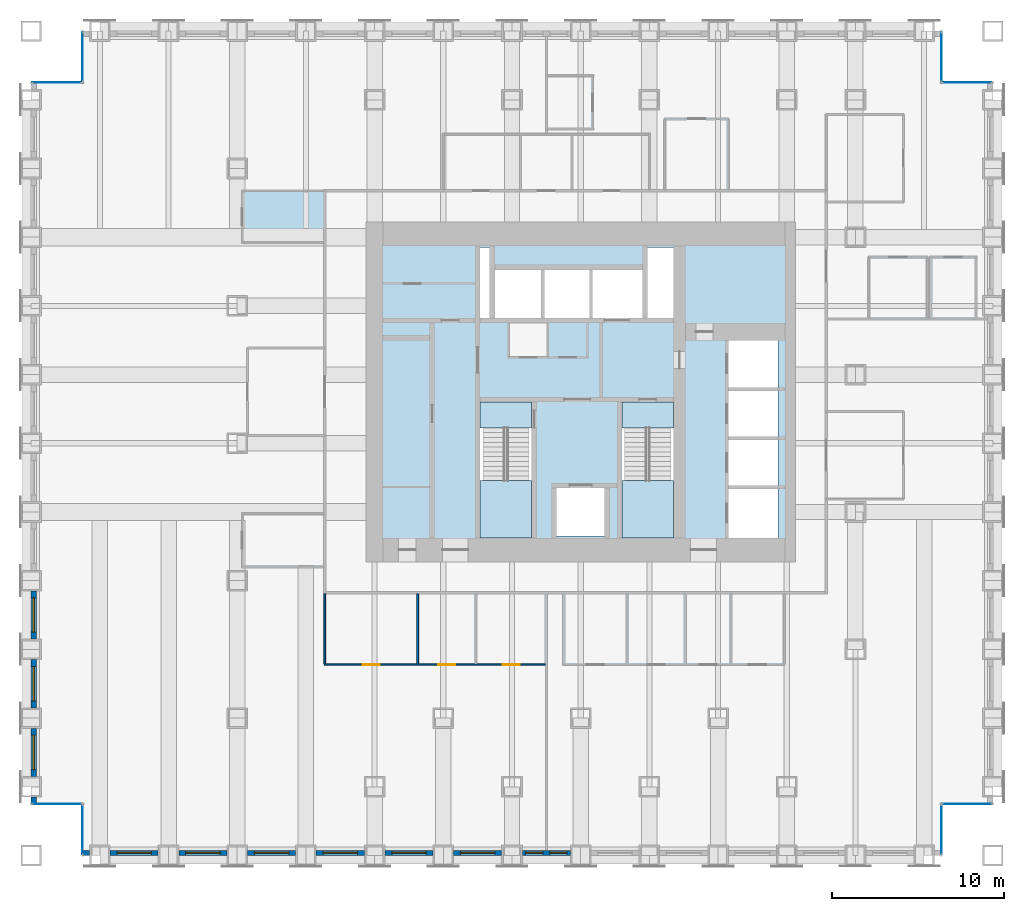
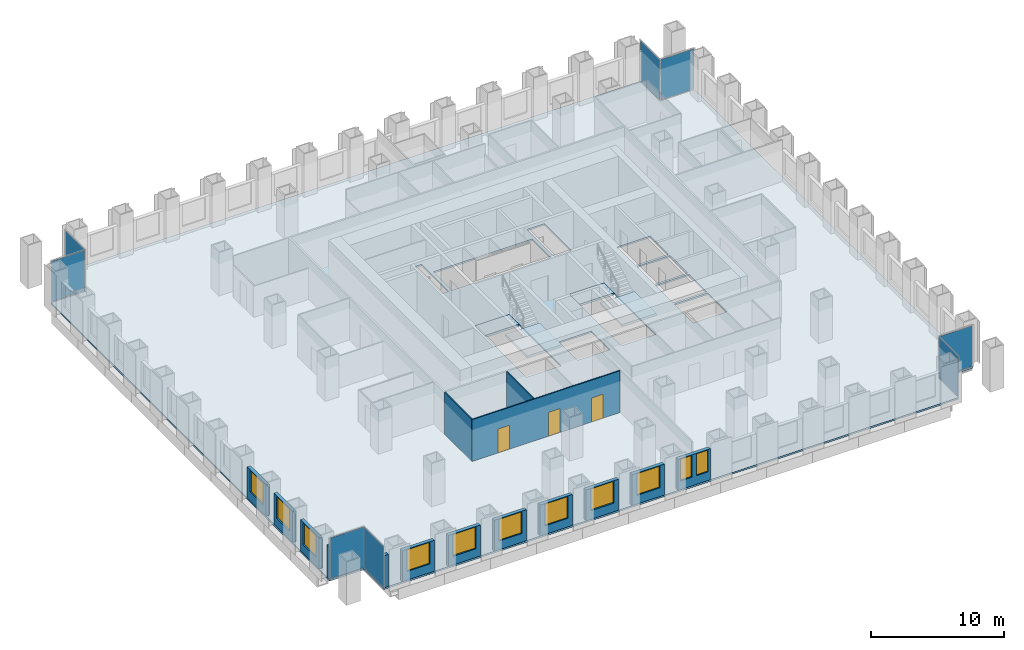
# One storey, part 7 of 14: 15 walls, 11 windows, 8 plates, 5 slabs, 3 doors, 14 openings, 10 elements without a shape of their own.
"""IFC4 building model written with IfcOpenShell, lengths in metres."""

from ifc_helpers import new_model, si_unit, direction, frame, frame_2d, origin, origin_2d, place, context, subcontext, project, spatial, polyline, rectangle, outline, extrude, material, layer, layer_set, type_object, element, fill, aggregate, save


model = new_model("IFC4")

# Units and contexts
model_context = context("Model", 3, precision=1e-05, world=origin(), true_north=direction((0.0, 1.0)))
body_context = subcontext(model_context, "Body", "Model", "MODEL_VIEW")
ifc_project = project(units=[si_unit("LENGTHUNIT", "METRE"), si_unit("AREAUNIT", "SQUARE_METRE"), si_unit("VOLUMEUNIT", "CUBIC_METRE"), si_unit("PLANEANGLEUNIT", "RADIAN"), si_unit("MASSUNIT", "GRAM", prefix="KILO")], contexts=[model_context])

# Site, building, storey
site_placement = place(None, origin())
site = spatial("IfcSite", under=ifc_project, at=site_placement, CompositionType="ELEMENT")
building_placement = place(site_placement, origin())
building = spatial("IfcBuilding", under=site, at=building_placement, Name="Rimbunsela Tower", CompositionType="ELEMENT")
storey_placement = place(building_placement, frame((0.0, 0.0, 55.0)))
storey = spatial("IfcBuildingStorey", under=building, at=storey_placement, Name="L13", CompositionType="ELEMENT", Elevation=55.0)

# Slab
ifc_material_1 = material(Name="Concrete fc' 35 MPa", Category="concrete")
ifc_layer_1 = layer(ifc_material_1, 0.14990234375)
ifc_layer_set_1 = layer_set([ifc_layer_1], Name="Floor slab 150")
slab_type_1 = type_object("IfcSlabType", Name="Floor slab 150", PredefinedType="FLOOR", material=ifc_layer_set_1)
slab_1_placement = place(storey_placement, frame((0.0, 0.0, -0.14990234375)))
element("IfcSlab", 1, at=slab_1_placement, inside=storey, type_object=slab_type_1, Name="Floor slab L13", PredefinedType="FLOOR", context=body_context, shape_type="SweptSolid", body=[
    extrude(outline(polyline([(1.0, 0.0), (51.0, 0.0), (51.0, 3.0), (54.0, 3.0), (54.0, 45.0), (51.0, 45.0), (51.0, 48.0), (1.0, 48.0), (1.0, 45.0), (-2.0, 45.0), (-2.0, 3.0), (1.0, 3.0), (1.0, 0.0)]), holes=[polyline([(27.14990234375, 18.60009765625), (27.14990234375, 26.39990234375), (24.14990234375, 26.39990234375), (24.14990234375, 18.60009765625), (27.14990234375, 18.60009765625)]), polyline([(24.699951171875, 31.300048828125), (24.699951171875, 35.39990234375), (24.14990234375, 35.39990234375), (24.14990234375, 31.300048828125), (24.699951171875, 31.300048828125)]), polyline([(25.0, 34.10009765625), (25.0, 31.300048828125), (33.60009765625, 31.300048828125), (33.60009765625, 34.10009765625), (25.0, 34.10009765625)]), polyline([(31.39990234375, 21.39990234375), (28.60009765625, 21.39990234375), (28.60009765625, 18.60009765625), (31.39990234375, 18.60009765625), (31.39990234375, 21.39990234375)]), polyline([(35.39990234375, 18.60009765625), (35.39990234375, 26.39990234375), (32.39990234375, 26.39990234375), (32.39990234375, 18.60009765625), (35.39990234375, 18.60009765625)]), polyline([(35.39990234375, 31.300048828125), (35.39990234375, 35.39990234375), (33.89990234375, 35.39990234375), (33.89990234375, 31.300048828125), (35.39990234375, 31.300048828125)]), polyline([(41.5, 21.35009765625), (38.60009765625, 21.35009765625), (38.60009765625, 18.5), (41.5, 18.5), (41.5, 21.35009765625)]), polyline([(41.5, 21.550048828125), (41.5, 24.199951171875), (38.60009765625, 24.199951171875), (38.60009765625, 21.550048828125), (41.5, 21.550048828125)]), polyline([(41.5, 27.050048828125), (38.60009765625, 27.050048828125), (38.60009765625, 24.39990234375), (41.5, 24.39990234375), (41.5, 27.050048828125)]), polyline([(41.5, 27.25), (41.5, 30.0), (38.60009765625, 30.0), (38.60009765625, 27.25), (41.5, 27.25)])]), origin(), (0.0, 0.0, 1.0), 0.14990234375),
])

# Curtain wall, plate
ifc_material_2 = material(Name="Aluminium curtain wall", Category="aluminium")
curtain_wall_type = type_object("IfcCurtainWallType", Name="Corner glazing", PredefinedType="USERDEFINED", material=ifc_material_2)
curtain_wall_1_placement = place(storey_placement, origin())
curtain_wall_1 = element("IfcCurtainWall", 2, at=curtain_wall_1_placement, inside=storey, type_object=curtain_wall_type, Name="Corner glazing L13", ObjectType="CORNER GLAZING", PredefinedType="USERDEFINED")
ifc_material_3 = material(Name="Clear double glazing", Category="glass")
ifc_layer_2 = layer(ifc_material_3, 0.028076171875)
ifc_layer_set_2 = layer_set([ifc_layer_2], Name="Glazed panel clear")
plate_type = type_object("IfcPlateType", Name="Glazed panel clear", PredefinedType="CURTAIN_PANEL", material=ifc_layer_set_2)
plate_1_placement = place(storey_placement, frame((51.0, 1.5, 0.06005859375), z_axis=(0.0, 0.0, 1.0), x_axis=(0.0, 1.0, 0.0)))
plate_1 = element("IfcPlate", 3, at=plate_1_placement, type_object=plate_type, Name="CW5 panel 1.1", PredefinedType="CURTAIN_PANEL", context=body_context, shape_type="SweptSolid", body=[
    extrude(rectangle(XDim=2.8798828125, YDim=0.028076171875, at=origin_2d()), origin(), (0.0, 0.0, 1.0), 3.72998046875),
])
aggregate(curtain_wall_1, [plate_1])

curtain_wall_2_placement = place(storey_placement, origin())
curtain_wall_2 = element("IfcCurtainWall", 4, at=curtain_wall_2_placement, inside=storey, type_object=curtain_wall_type, Name="Corner glazing L13", ObjectType="CORNER GLAZING", PredefinedType="USERDEFINED")
plate_2_placement = place(storey_placement, frame((52.5, 3.0, 0.06005859375), z_axis=(0.0, 0.0, 1.0), x_axis=(1.0, 0.0, 0.0)))
plate_2 = element("IfcPlate", 5, at=plate_2_placement, type_object=plate_type, Name="CW5 panel 1.1", PredefinedType="CURTAIN_PANEL", context=body_context, shape_type="SweptSolid", body=[
    extrude(rectangle(XDim=2.8798828125, YDim=0.028076171875, at=origin_2d()), origin(), (0.0, 0.0, 1.0), 3.72998046875),
])
aggregate(curtain_wall_2, [plate_2])

curtain_wall_3_placement = place(storey_placement, origin())
curtain_wall_3 = element("IfcCurtainWall", 6, at=curtain_wall_3_placement, inside=storey, type_object=curtain_wall_type, Name="Corner glazing L13", ObjectType="CORNER GLAZING", PredefinedType="USERDEFINED")
plate_3_placement = place(storey_placement, frame((52.5, 45.0, 0.06005859375), z_axis=(0.0, 0.0, 1.0), x_axis=(-1.0, 0.0, 0.0)))
plate_3 = element("IfcPlate", 7, at=plate_3_placement, type_object=plate_type, Name="CW5 panel 1.1", PredefinedType="CURTAIN_PANEL", context=body_context, shape_type="SweptSolid", body=[
    extrude(rectangle(XDim=2.8798828125, YDim=0.028076171875, at=origin_2d()), origin(), (0.0, 0.0, 1.0), 3.72998046875),
])
aggregate(curtain_wall_3, [plate_3])

curtain_wall_4_placement = place(storey_placement, origin())
curtain_wall_4 = element("IfcCurtainWall", 8, at=curtain_wall_4_placement, inside=storey, type_object=curtain_wall_type, Name="Corner glazing L13", ObjectType="CORNER GLAZING", PredefinedType="USERDEFINED")
plate_4_placement = place(storey_placement, frame((51.0, 46.5, 0.06005859375), z_axis=(0.0, 0.0, 1.0), x_axis=(0.0, 1.0, 0.0)))
plate_4 = element("IfcPlate", 9, at=plate_4_placement, type_object=plate_type, Name="CW5 panel 1.1", PredefinedType="CURTAIN_PANEL", context=body_context, shape_type="SweptSolid", body=[
    extrude(rectangle(XDim=2.8798828125, YDim=0.028076171875, at=origin_2d()), origin(), (0.0, 0.0, 1.0), 3.72998046875),
])
aggregate(curtain_wall_4, [plate_4])

curtain_wall_5_placement = place(storey_placement, origin())
curtain_wall_5 = element("IfcCurtainWall", 10, at=curtain_wall_5_placement, inside=storey, type_object=curtain_wall_type, Name="Corner glazing L13", ObjectType="CORNER GLAZING", PredefinedType="USERDEFINED")
plate_5_placement = place(storey_placement, frame((1.0, 46.5, 0.06005859375), z_axis=(0.0, 0.0, 1.0), x_axis=(0.0, -1.0, 0.0)))
plate_5 = element("IfcPlate", 11, at=plate_5_placement, type_object=plate_type, Name="CW5 panel 1.1", PredefinedType="CURTAIN_PANEL", context=body_context, shape_type="SweptSolid", body=[
    extrude(rectangle(XDim=2.8798828125, YDim=0.028076171875, at=origin_2d()), origin(), (0.0, 0.0, 1.0), 3.72998046875),
])
aggregate(curtain_wall_5, [plate_5])

curtain_wall_6_placement = place(storey_placement, origin())
curtain_wall_6 = element("IfcCurtainWall", 12, at=curtain_wall_6_placement, inside=storey, type_object=curtain_wall_type, Name="Corner glazing L13", ObjectType="CORNER GLAZING", PredefinedType="USERDEFINED")
plate_6_placement = place(storey_placement, frame((-0.5, 45.0, 0.06005859375), z_axis=(0.0, 0.0, 1.0), x_axis=(-1.0, 0.0, 0.0)))
plate_6 = element("IfcPlate", 13, at=plate_6_placement, type_object=plate_type, Name="CW5 panel 1.1", PredefinedType="CURTAIN_PANEL", context=body_context, shape_type="SweptSolid", body=[
    extrude(rectangle(XDim=2.8798828125, YDim=0.028076171875, at=origin_2d()), origin(), (0.0, 0.0, 1.0), 3.72998046875),
])
aggregate(curtain_wall_6, [plate_6])

curtain_wall_7_placement = place(storey_placement, origin())
curtain_wall_7 = element("IfcCurtainWall", 14, at=curtain_wall_7_placement, inside=storey, type_object=curtain_wall_type, Name="Corner glazing L13", ObjectType="CORNER GLAZING", PredefinedType="USERDEFINED")
plate_7_placement = place(storey_placement, frame((-0.5, 3.0, 0.06005859375), z_axis=(0.0, 0.0, 1.0), x_axis=(1.0, 0.0, 0.0)))
plate_7 = element("IfcPlate", 15, at=plate_7_placement, type_object=plate_type, Name="CW5 panel 1.1", PredefinedType="CURTAIN_PANEL", context=body_context, shape_type="SweptSolid", body=[
    extrude(rectangle(XDim=2.8798828125, YDim=0.028076171875, at=origin_2d()), origin(), (0.0, 0.0, 1.0), 3.72998046875),
])
aggregate(curtain_wall_7, [plate_7])

curtain_wall_8_placement = place(storey_placement, origin())
curtain_wall_8 = element("IfcCurtainWall", 16, at=curtain_wall_8_placement, inside=storey, type_object=curtain_wall_type, Name="Corner glazing L13", ObjectType="CORNER GLAZING", PredefinedType="USERDEFINED")
plate_8_placement = place(storey_placement, frame((1.0, 1.5, 0.06005859375), z_axis=(0.0, 0.0, 1.0), x_axis=(0.0, -1.0, 0.0)))
plate_8 = element("IfcPlate", 17, at=plate_8_placement, type_object=plate_type, Name="CW5 panel 1.1", PredefinedType="CURTAIN_PANEL", context=body_context, shape_type="SweptSolid", body=[
    extrude(rectangle(XDim=2.8798828125, YDim=0.028076171875, at=origin_2d()), origin(), (0.0, 0.0, 1.0), 3.72998046875),
])
aggregate(curtain_wall_8, [plate_8])

# Stair, slabs
ifc_material_4 = material(Name="Concrete fc' 35 MPa", Category="concrete")
stair_type = type_object("IfcStairType", Name="Exit stair 24 risers", PredefinedType="HALF_TURN_STAIR", material=ifc_material_4)
stair_1_placement = place(storey_placement, origin())
stair_1 = element("IfcStair", 18, at=stair_1_placement, inside=storey, type_object=stair_type, Name="Exit stair A L13", PredefinedType="HALF_TURN_STAIR")
ifc_material_5 = material(Name="Concrete fc' 35 MPa", Category="concrete")
ifc_layer_3 = layer(ifc_material_5, 0.199951171875)
ifc_layer_set_3 = layer_set([ifc_layer_3], Name="Stair landing 200")
slab_type_2 = type_object("IfcSlabType", Name="Stair landing 200", PredefinedType="LANDING", material=ifc_layer_set_3)
slab_2_placement = place(storey_placement, frame((0.0, 0.0, -0.199951171875)))
slab_2 = element("IfcSlab", 19, at=slab_2_placement, type_object=slab_type_2, Name="ST-A landing 1", PredefinedType="LANDING", context=body_context, shape_type="SweptSolid", body=[
    extrude(outline(polyline([(24.14990234375, 24.89990234375), (27.14990234375, 24.89990234375), (27.14990234375, 26.39990234375), (24.14990234375, 26.39990234375), (24.14990234375, 24.89990234375)])), origin(), (0.0, 0.0, 1.0), 0.199951171875),
])
slab_3_placement = place(storey_placement, frame((0.0, 0.0, 1.800048828125)))
slab_3 = element("IfcSlab", 20, at=slab_3_placement, type_object=slab_type_2, Name="ST-A landing 2", PredefinedType="LANDING", context=body_context, shape_type="SweptSolid", body=[
    extrude(outline(polyline([(24.14990234375, 18.5), (27.14990234375, 18.5), (27.14990234375, 21.820068359375), (24.14990234375, 21.820068359375), (24.14990234375, 18.5)])), origin(), (0.0, 0.0, 1.0), 0.199951171875),
])
aggregate(stair_1, [slab_2, slab_3])

stair_2_placement = place(storey_placement, origin())
stair_2 = element("IfcStair", 21, at=stair_2_placement, inside=storey, type_object=stair_type, Name="Exit stair B L13", PredefinedType="HALF_TURN_STAIR")
slab_4_placement = place(storey_placement, frame((0.0, 0.0, -0.199951171875)))
slab_4 = element("IfcSlab", 22, at=slab_4_placement, type_object=slab_type_2, Name="ST-B landing 1", PredefinedType="LANDING", context=body_context, shape_type="SweptSolid", body=[
    extrude(outline(polyline([(32.39990234375, 24.89990234375), (35.39990234375, 24.89990234375), (35.39990234375, 26.39990234375), (32.39990234375, 26.39990234375), (32.39990234375, 24.89990234375)])), origin(), (0.0, 0.0, 1.0), 0.199951171875),
])
slab_5_placement = place(storey_placement, frame((0.0, 0.0, 1.800048828125)))
slab_5 = element("IfcSlab", 23, at=slab_5_placement, type_object=slab_type_2, Name="ST-B landing 2", PredefinedType="LANDING", context=body_context, shape_type="SweptSolid", body=[
    extrude(outline(polyline([(32.39990234375, 18.5), (35.39990234375, 18.5), (35.39990234375, 21.820068359375), (32.39990234375, 21.820068359375), (32.39990234375, 18.5)])), origin(), (0.0, 0.0, 1.0), 0.199951171875),
])
aggregate(stair_2, [slab_4, slab_5])

# Wall, openings, doors
ifc_material_6 = material(Name="Gypsum board on steel studs", Category="steel")
ifc_layer_4 = layer(ifc_material_6, 0.10009765625)
ifc_layer_set_4 = layer_set([ifc_layer_4], Name="Office partition 100")
wall_type_1 = type_object("IfcWallType", Name="Office partition 100", PredefinedType="PARTITIONING", material=ifc_layer_set_4)
wall_1_placement = place(storey_placement, frame((15.050048828125, 11.10009765625, 0.0), z_axis=(0.0, 0.0, 1.0), x_axis=(1.0, 0.0, 0.0)))
wall_1 = element("IfcWall", 24, at=wall_1_placement, inside=storey, type_object=wall_type_1, Name="Office partition", PredefinedType="PARTITIONING", context=body_context, shape_type="SweptSolid", body=[
    extrude(rectangle(XDim=12.888916015625, YDim=0.10009765625, at=frame_2d((6.4443359375, 0.0))), origin(), (0.0, 0.0, 1.0), 3.85009765625),
])
opening_1_placement = place(wall_1_placement, frame((2.25, 0.0, 0.0)))
opening_1 = element("IfcOpeningElement", 25, at=opening_1_placement, cuts=wall_1, Name="Opening D17", PredefinedType="OPENING", context=body_context, shape_type="SweptSolid", body=[
    extrude(rectangle(XDim=1.0, YDim=2.199951171875, at=frame_2d((0.5, 1.10009765625))), frame((0.0, 0.06005859375, 0.0), z_axis=(0.0, -1.0, 0.0), x_axis=(1.0, 0.0, 0.0)), (0.0, 0.0, 1.0), 0.1201171875),
])
opening_2_placement = place(wall_1_placement, frame((6.64990234375, 0.0, 0.0)))
opening_2 = element("IfcOpeningElement", 26, at=opening_2_placement, cuts=wall_1, Name="Opening D16", PredefinedType="OPENING", context=body_context, shape_type="SweptSolid", body=[
    extrude(rectangle(XDim=1.0, YDim=2.199951171875, at=frame_2d((0.5, 1.10009765625))), frame((0.0, 0.06005859375, 0.0), z_axis=(0.0, -1.0, 0.0), x_axis=(1.0, 0.0, 0.0)), (0.0, 0.0, 1.0), 0.1201171875),
])
opening_3_placement = place(wall_1_placement, frame((10.3994140625, 0.0, 0.0)))
opening_3 = element("IfcOpeningElement", 27, at=opening_3_placement, cuts=wall_1, Name="Opening D16", PredefinedType="OPENING", context=body_context, shape_type="SweptSolid", body=[
    extrude(rectangle(XDim=1.0, YDim=2.199951171875, at=frame_2d((0.5, 1.10009765625))), frame((0.0, 0.06005859375, 0.0), z_axis=(0.0, -1.0, 0.0), x_axis=(1.0, 0.0, 0.0)), (0.0, 0.0, 1.0), 0.1201171875),
])
ifc_material_7 = material(Name="Glazed aluminium door", Category="aluminium")
door_type_1 = type_object("IfcDoorType", Name="Meeting room door 1000 glazed", OperationType="SINGLE_SWING_RIGHT", PredefinedType="DOOR", material=ifc_material_7)
door_1_placement = place(opening_1_placement, origin())
door_1 = element("IfcDoor", 28, at=door_1_placement, inside=storey, type_object=door_type_1, Name="Meeting room door", OperationType="SINGLE_SWING_RIGHT", OverallHeight=2.199951171875, OverallWidth=1.0, PredefinedType="DOOR", context=body_context, shape_type="SweptSolid", body=[
    extrude(rectangle(XDim=1.0, YDim=2.199951171875, at=frame_2d((0.5, 1.10009765625))), frame((0.0, 0.02490234375, 0.0), z_axis=(0.0, -1.0, 0.0), x_axis=(1.0, 0.0, 0.0)), (0.0, 0.0, 1.0), 0.050048828125),
])
fill(opening_1, door_1)
ifc_material_8 = material(Name="Timber door", Category="wood")
door_type_2 = type_object("IfcDoorType", Name="Office door 1000", OperationType="SINGLE_SWING_LEFT", PredefinedType="DOOR", material=ifc_material_8)
door_2_placement = place(opening_2_placement, origin())
door_2 = element("IfcDoor", 29, at=door_2_placement, inside=storey, type_object=door_type_2, Name="Office door", OperationType="SINGLE_SWING_LEFT", OverallHeight=2.199951171875, OverallWidth=1.0, PredefinedType="DOOR", context=body_context, shape_type="SweptSolid", body=[
    extrude(rectangle(XDim=1.0, YDim=2.199951171875, at=frame_2d((0.5, 1.10009765625))), frame((0.0, 0.02490234375, 0.0), z_axis=(0.0, -1.0, 0.0), x_axis=(1.0, 0.0, 0.0)), (0.0, 0.0, 1.0), 0.050048828125),
])
fill(opening_2, door_2)
door_3_placement = place(opening_3_placement, origin())
door_3 = element("IfcDoor", 30, at=door_3_placement, inside=storey, type_object=door_type_2, Name="Office door", OperationType="SINGLE_SWING_LEFT", OverallHeight=2.199951171875, OverallWidth=1.0, PredefinedType="DOOR", context=body_context, shape_type="SweptSolid", body=[
    extrude(rectangle(XDim=1.0, YDim=2.199951171875, at=frame_2d((0.5, 1.10009765625))), frame((0.0, 0.02490234375, 0.0), z_axis=(0.0, -1.0, 0.0), x_axis=(1.0, 0.0, 0.0)), (0.0, 0.0, 1.0), 0.050048828125),
])
fill(opening_3, door_3)

# Walls
for number, where, z_axis, x_axis, name in (
    (31, (15.10009765625, 11.14990234375, 0.0), (0.0, 0.0, 1.0), (0.0, 1.0, 0.0), "Office partition"),
    (32, (20.5, 11.14990234375, 0.0), (0.0, 0.0, 1.0), (0.0, 1.0, 0.0), "Office partition"),
):
    element("IfcWall", number, at=place(storey_placement, frame(where, z_axis=z_axis, x_axis=x_axis)), inside=storey, type_object=wall_type_1, Name=name, PredefinedType="PARTITIONING", context=body_context, shape_type="SweptSolid", body=[
        extrude(rectangle(XDim=4.0751953125, YDim=0.10009765625, at=frame_2d((2.03759765625, 0.0))), origin(), (0.0, 0.0, 1.0), 3.85009765625),
    ])
ifc_material_9 = material(Name="Precast concrete fc' 35 MPa", Category="concrete")
ifc_layer_5 = layer(ifc_material_9, 0.300048828125)
ifc_layer_set_5 = layer_set([ifc_layer_5], Name="Precast concrete fc' 35 MPa")
wall_type_2 = type_object("IfcWallType", Name="Precast facade panel 300", PredefinedType="ELEMENTEDWALL", material=ifc_layer_set_5)
wall_2_placement = place(storey_placement, frame((1.030029296875, 0.14990234375, 0.0), z_axis=(0.0, 0.0, 1.0), x_axis=(1.0, 0.0, 0.0)))
element("IfcWall", 33, at=wall_2_placement, inside=storey, type_object=wall_type_2, Name="Facade panel S L13", PredefinedType="ELEMENTEDWALL", context=body_context, shape_type="SweptSolid", body=[
    extrude(rectangle(XDim=0.369873046875, YDim=0.300048828125, at=frame_2d((0.18505859375, 0.0))), origin(), (0.0, 0.0, 1.0), 2.949951171875),
])

# Wall, opening, window
wall_3_placement = place(storey_placement, frame((2.60009765625, 0.14990234375, 0.0), z_axis=(0.0, 0.0, 1.0), x_axis=(1.0, 0.0, 0.0)))
wall_3 = element("IfcWall", 34, at=wall_3_placement, inside=storey, type_object=wall_type_2, Name="Facade panel S L13", PredefinedType="ELEMENTEDWALL", context=body_context, shape_type="SweptSolid", body=[
    extrude(rectangle(XDim=2.7998046875, YDim=0.300048828125, at=frame_2d((1.39990234375, 0.0))), origin(), (0.0, 0.0, 1.0), 2.85009765625),
])
opening_4_placement = place(wall_3_placement, frame((0.39990234375, 0.0, 0.800048828125)))
opening_4 = element("IfcOpeningElement", 35, at=opening_4_placement, cuts=wall_3, Name="Opening W1", PredefinedType="OPENING", context=body_context, shape_type="SweptSolid", body=[
    extrude(rectangle(XDim=2.0, YDim=2.0, at=frame_2d((1.0, 1.0))), frame((0.0, 0.159912109375, 0.0), z_axis=(0.0, -1.0, 0.0), x_axis=(1.0, 0.0, 0.0)), (0.0, 0.0, 1.0), 0.320068359375),
])
ifc_material_10 = material(Name="Clear glass in aluminium frame", Category="aluminium")
window_type_1 = type_object("IfcWindowType", Name="Window W1 2000x2000", PartitioningType="DOUBLE_PANEL_VERTICAL", PredefinedType="WINDOW", material=ifc_material_10)
window_1_placement = place(opening_4_placement, origin())
window_1 = element("IfcWindow", 36, at=window_1_placement, inside=storey, type_object=window_type_1, Name="Window L13", OverallHeight=2.0, OverallWidth=2.0, PartitioningType="SINGLE_PANEL", PredefinedType="WINDOW", context=body_context, shape_type="SweptSolid", body=[
    extrude(rectangle(XDim=2.0, YDim=2.0, at=frame_2d((1.0, 1.0))), frame((0.0, 0.030029296875, 0.0), z_axis=(0.0, -1.0, 0.0), x_axis=(1.0, 0.0, 0.0)), (0.0, 0.0, 1.0), 0.06005859375),
])
fill(opening_4, window_1)

wall_4_placement = place(storey_placement, frame((6.60009765625, 0.14990234375, 0.0), z_axis=(0.0, 0.0, 1.0), x_axis=(1.0, 0.0, 0.0)))
wall_4 = element("IfcWall", 37, at=wall_4_placement, inside=storey, type_object=wall_type_2, Name="Facade panel S L13", PredefinedType="ELEMENTEDWALL", context=body_context, shape_type="SweptSolid", body=[
    extrude(rectangle(XDim=2.7998046875, YDim=0.300048828125, at=frame_2d((1.39990234375, 0.0))), origin(), (0.0, 0.0, 1.0), 2.85009765625),
])
opening_5_placement = place(wall_4_placement, frame((0.39990234375, 0.0, 0.800048828125)))
opening_5 = element("IfcOpeningElement", 38, at=opening_5_placement, cuts=wall_4, Name="Opening W1", PredefinedType="OPENING", context=body_context, shape_type="SweptSolid", body=[
    extrude(rectangle(XDim=2.0, YDim=2.0, at=frame_2d((1.0, 1.0))), frame((0.0, 0.159912109375, 0.0), z_axis=(0.0, -1.0, 0.0), x_axis=(1.0, 0.0, 0.0)), (0.0, 0.0, 1.0), 0.320068359375),
])
window_2_placement = place(opening_5_placement, origin())
window_2 = element("IfcWindow", 39, at=window_2_placement, inside=storey, type_object=window_type_1, Name="Window L13", OverallHeight=2.0, OverallWidth=2.0, PartitioningType="SINGLE_PANEL", PredefinedType="WINDOW", context=body_context, shape_type="SweptSolid", body=[
    extrude(rectangle(XDim=2.0, YDim=2.0, at=frame_2d((1.0, 1.0))), frame((0.0, 0.030029296875, 0.0), z_axis=(0.0, -1.0, 0.0), x_axis=(1.0, 0.0, 0.0)), (0.0, 0.0, 1.0), 0.06005859375),
])
fill(opening_5, window_2)

wall_5_placement = place(storey_placement, frame((10.60009765625, 0.14990234375, 0.0), z_axis=(0.0, 0.0, 1.0), x_axis=(1.0, 0.0, 0.0)))
wall_5 = element("IfcWall", 40, at=wall_5_placement, inside=storey, type_object=wall_type_2, Name="Facade panel S L13", PredefinedType="ELEMENTEDWALL", context=body_context, shape_type="SweptSolid", body=[
    extrude(rectangle(XDim=2.7998046875, YDim=0.300048828125, at=frame_2d((1.39990234375, 0.0))), origin(), (0.0, 0.0, 1.0), 2.85009765625),
])
opening_6_placement = place(wall_5_placement, frame((0.39990234375, 0.0, 0.800048828125)))
opening_6 = element("IfcOpeningElement", 41, at=opening_6_placement, cuts=wall_5, Name="Opening W1", PredefinedType="OPENING", context=body_context, shape_type="SweptSolid", body=[
    extrude(rectangle(XDim=2.0, YDim=2.0, at=frame_2d((1.0, 1.0))), frame((0.0, 0.159912109375, 0.0), z_axis=(0.0, -1.0, 0.0), x_axis=(1.0, 0.0, 0.0)), (0.0, 0.0, 1.0), 0.320068359375),
])
window_3_placement = place(opening_6_placement, origin())
window_3 = element("IfcWindow", 42, at=window_3_placement, inside=storey, type_object=window_type_1, Name="Window L13", OverallHeight=2.0, OverallWidth=2.0, PartitioningType="SINGLE_PANEL", PredefinedType="WINDOW", context=body_context, shape_type="SweptSolid", body=[
    extrude(rectangle(XDim=2.0, YDim=2.0, at=frame_2d((1.0, 1.0))), frame((0.0, 0.030029296875, 0.0), z_axis=(0.0, -1.0, 0.0), x_axis=(1.0, 0.0, 0.0)), (0.0, 0.0, 1.0), 0.06005859375),
])
fill(opening_6, window_3)

wall_6_placement = place(storey_placement, frame((14.60009765625, 0.14990234375, 0.0), z_axis=(0.0, 0.0, 1.0), x_axis=(1.0, 0.0, 0.0)))
wall_6 = element("IfcWall", 43, at=wall_6_placement, inside=storey, type_object=wall_type_2, Name="Facade panel S L13", PredefinedType="ELEMENTEDWALL", context=body_context, shape_type="SweptSolid", body=[
    extrude(rectangle(XDim=2.7998046875, YDim=0.300048828125, at=frame_2d((1.39990234375, 0.0))), origin(), (0.0, 0.0, 1.0), 2.85009765625),
])
opening_7_placement = place(wall_6_placement, frame((0.39990234375, 0.0, 0.800048828125)))
opening_7 = element("IfcOpeningElement", 44, at=opening_7_placement, cuts=wall_6, Name="Opening W1", PredefinedType="OPENING", context=body_context, shape_type="SweptSolid", body=[
    extrude(rectangle(XDim=2.0, YDim=2.0, at=frame_2d((1.0, 1.0))), frame((0.0, 0.159912109375, 0.0), z_axis=(0.0, -1.0, 0.0), x_axis=(1.0, 0.0, 0.0)), (0.0, 0.0, 1.0), 0.320068359375),
])
window_4_placement = place(opening_7_placement, origin())
window_4 = element("IfcWindow", 45, at=window_4_placement, inside=storey, type_object=window_type_1, Name="Window L13", OverallHeight=2.0, OverallWidth=2.0, PartitioningType="SINGLE_PANEL", PredefinedType="WINDOW", context=body_context, shape_type="SweptSolid", body=[
    extrude(rectangle(XDim=2.0, YDim=2.0, at=frame_2d((1.0, 1.0))), frame((0.0, 0.030029296875, 0.0), z_axis=(0.0, -1.0, 0.0), x_axis=(1.0, 0.0, 0.0)), (0.0, 0.0, 1.0), 0.06005859375),
])
fill(opening_7, window_4)

wall_7_placement = place(storey_placement, frame((18.60009765625, 0.14990234375, 0.0), z_axis=(0.0, 0.0, 1.0), x_axis=(1.0, 0.0, 0.0)))
wall_7 = element("IfcWall", 46, at=wall_7_placement, inside=storey, type_object=wall_type_2, Name="Facade panel S L13", PredefinedType="ELEMENTEDWALL", context=body_context, shape_type="SweptSolid", body=[
    extrude(rectangle(XDim=2.7998046875, YDim=0.300048828125, at=frame_2d((1.39990234375, 0.0))), origin(), (0.0, 0.0, 1.0), 2.85009765625),
])
opening_8_placement = place(wall_7_placement, frame((0.39990234375, 0.0, 0.800048828125)))
opening_8 = element("IfcOpeningElement", 47, at=opening_8_placement, cuts=wall_7, Name="Opening W1", PredefinedType="OPENING", context=body_context, shape_type="SweptSolid", body=[
    extrude(rectangle(XDim=2.0, YDim=2.0, at=frame_2d((1.0, 1.0))), frame((0.0, 0.159912109375, 0.0), z_axis=(0.0, -1.0, 0.0), x_axis=(1.0, 0.0, 0.0)), (0.0, 0.0, 1.0), 0.320068359375),
])
window_5_placement = place(opening_8_placement, origin())
window_5 = element("IfcWindow", 48, at=window_5_placement, inside=storey, type_object=window_type_1, Name="Window L13", OverallHeight=2.0, OverallWidth=2.0, PartitioningType="SINGLE_PANEL", PredefinedType="WINDOW", context=body_context, shape_type="SweptSolid", body=[
    extrude(rectangle(XDim=2.0, YDim=2.0, at=frame_2d((1.0, 1.0))), frame((0.0, 0.030029296875, 0.0), z_axis=(0.0, -1.0, 0.0), x_axis=(1.0, 0.0, 0.0)), (0.0, 0.0, 1.0), 0.06005859375),
])
fill(opening_8, window_5)

wall_8_placement = place(storey_placement, frame((22.60009765625, 0.14990234375, 0.0), z_axis=(0.0, 0.0, 1.0), x_axis=(1.0, 0.0, 0.0)))
wall_8 = element("IfcWall", 49, at=wall_8_placement, inside=storey, type_object=wall_type_2, Name="Facade panel S L13", PredefinedType="ELEMENTEDWALL", context=body_context, shape_type="SweptSolid", body=[
    extrude(rectangle(XDim=2.7998046875, YDim=0.300048828125, at=frame_2d((1.39990234375, 0.0))), origin(), (0.0, 0.0, 1.0), 2.85009765625),
])
opening_9_placement = place(wall_8_placement, frame((0.39990234375, 0.0, 0.800048828125)))
opening_9 = element("IfcOpeningElement", 50, at=opening_9_placement, cuts=wall_8, Name="Opening W1", PredefinedType="OPENING", context=body_context, shape_type="SweptSolid", body=[
    extrude(rectangle(XDim=2.0, YDim=2.0, at=frame_2d((1.0, 1.0))), frame((0.0, 0.159912109375, 0.0), z_axis=(0.0, -1.0, 0.0), x_axis=(1.0, 0.0, 0.0)), (0.0, 0.0, 1.0), 0.320068359375),
])
window_6_placement = place(opening_9_placement, origin())
window_6 = element("IfcWindow", 51, at=window_6_placement, inside=storey, type_object=window_type_1, Name="Window L13", OverallHeight=2.0, OverallWidth=2.0, PartitioningType="SINGLE_PANEL", PredefinedType="WINDOW", context=body_context, shape_type="SweptSolid", body=[
    extrude(rectangle(XDim=2.0, YDim=2.0, at=frame_2d((1.0, 1.0))), frame((0.0, 0.030029296875, 0.0), z_axis=(0.0, -1.0, 0.0), x_axis=(1.0, 0.0, 0.0)), (0.0, 0.0, 1.0), 0.06005859375),
])
fill(opening_9, window_6)

# Wall, openings, windows
wall_9_placement = place(storey_placement, frame((26.60009765625, 0.14990234375, 0.0), z_axis=(0.0, 0.0, 1.0), x_axis=(1.0, 0.0, 0.0)))
wall_9 = element("IfcWall", 52, at=wall_9_placement, inside=storey, type_object=wall_type_2, Name="Facade panel S L13", PredefinedType="ELEMENTEDWALL", context=body_context, shape_type="SweptSolid", body=[
    extrude(rectangle(XDim=2.7998046875, YDim=0.300048828125, at=frame_2d((1.39990234375, 0.0))), origin(), (0.0, 0.0, 1.0), 2.85009765625),
])
opening_10_placement = place(wall_9_placement, frame((0.199951171875, 0.0, 0.800048828125)))
opening_10 = element("IfcOpeningElement", 53, at=opening_10_placement, cuts=wall_9, Name="Opening W5", PredefinedType="OPENING", context=body_context, shape_type="SweptSolid", body=[
    extrude(rectangle(XDim=1.0, YDim=2.0, at=frame_2d((0.5, 1.0))), frame((0.0, 0.159912109375, 0.0), z_axis=(0.0, -1.0, 0.0), x_axis=(1.0, 0.0, 0.0)), (0.0, 0.0, 1.0), 0.320068359375),
])
opening_11_placement = place(wall_9_placement, frame((1.60009765625, 0.0, 0.800048828125)))
opening_11 = element("IfcOpeningElement", 54, at=opening_11_placement, cuts=wall_9, Name="Opening W5", PredefinedType="OPENING", context=body_context, shape_type="SweptSolid", body=[
    extrude(rectangle(XDim=1.0, YDim=2.0, at=frame_2d((0.5, 1.0))), frame((0.0, 0.159912109375, 0.0), z_axis=(0.0, -1.0, 0.0), x_axis=(1.0, 0.0, 0.0)), (0.0, 0.0, 1.0), 0.320068359375),
])
ifc_material_11 = material(Name="Clear glass in aluminium frame", Category="aluminium")
window_type_2 = type_object("IfcWindowType", Name="Window W5 1000x2000", PartitioningType="SINGLE_PANEL", PredefinedType="WINDOW", material=ifc_material_11)
window_7_placement = place(opening_10_placement, origin())
window_7 = element("IfcWindow", 55, at=window_7_placement, inside=storey, type_object=window_type_2, Name="Window L13", OverallHeight=2.0, OverallWidth=1.0, PartitioningType="SINGLE_PANEL", PredefinedType="WINDOW", context=body_context, shape_type="SweptSolid", body=[
    extrude(rectangle(XDim=1.0, YDim=2.0, at=frame_2d((0.5, 1.0))), frame((0.0, 0.030029296875, 0.0), z_axis=(0.0, -1.0, 0.0), x_axis=(1.0, 0.0, 0.0)), (0.0, 0.0, 1.0), 0.06005859375),
])
fill(opening_10, window_7)
window_8_placement = place(opening_11_placement, origin())
window_8 = element("IfcWindow", 56, at=window_8_placement, inside=storey, type_object=window_type_2, Name="Window L13", OverallHeight=2.0, OverallWidth=1.0, PartitioningType="SINGLE_PANEL", PredefinedType="WINDOW", context=body_context, shape_type="SweptSolid", body=[
    extrude(rectangle(XDim=1.0, YDim=2.0, at=frame_2d((0.5, 1.0))), frame((0.0, 0.030029296875, 0.0), z_axis=(0.0, -1.0, 0.0), x_axis=(1.0, 0.0, 0.0)), (0.0, 0.0, 1.0), 0.06005859375),
])
fill(opening_11, window_8)

# Wall
wall_10_placement = place(storey_placement, frame((-1.85009765625, 3.39990234375, 0.0), z_axis=(0.0, 0.0, 1.0), x_axis=(0.0, -1.0, 0.0)))
element("IfcWall", 57, at=wall_10_placement, inside=storey, type_object=wall_type_2, Name="Facade panel W L13", PredefinedType="ELEMENTEDWALL", context=body_context, shape_type="SweptSolid", body=[
    extrude(rectangle(XDim=0.369873046875, YDim=0.300048828125, at=frame_2d((0.18505859375, 0.0))), origin(), (0.0, 0.0, 1.0), 2.949951171875),
])

# Wall, opening, window
wall_11_placement = place(storey_placement, frame((-1.85009765625, 7.39990234375, 0.0), z_axis=(0.0, 0.0, 1.0), x_axis=(0.0, -1.0, 0.0)))
wall_11 = element("IfcWall", 58, at=wall_11_placement, inside=storey, type_object=wall_type_2, Name="Facade panel W L13", PredefinedType="ELEMENTEDWALL", context=body_context, shape_type="SweptSolid", body=[
    extrude(rectangle(XDim=2.7998046875, YDim=0.300048828125, at=frame_2d((1.39990234375, 0.0))), origin(), (0.0, 0.0, 1.0), 2.85009765625),
])
opening_12_placement = place(wall_11_placement, frame((0.39990234375, 0.0, 0.800048828125)))
opening_12 = element("IfcOpeningElement", 59, at=opening_12_placement, cuts=wall_11, Name="Opening W1", PredefinedType="OPENING", context=body_context, shape_type="SweptSolid", body=[
    extrude(rectangle(XDim=2.0, YDim=2.0, at=frame_2d((1.0, 1.0))), frame((0.0, 0.159912109375, 0.0), z_axis=(0.0, -1.0, 0.0), x_axis=(1.0, 0.0, 0.0)), (0.0, 0.0, 1.0), 0.320068359375),
])
window_9_placement = place(opening_12_placement, origin())
window_9 = element("IfcWindow", 60, at=window_9_placement, inside=storey, type_object=window_type_1, Name="Window L13", OverallHeight=2.0, OverallWidth=2.0, PartitioningType="SINGLE_PANEL", PredefinedType="WINDOW", context=body_context, shape_type="SweptSolid", body=[
    extrude(rectangle(XDim=2.0, YDim=2.0, at=frame_2d((1.0, 1.0))), frame((0.0, 0.030029296875, 0.0), z_axis=(0.0, -1.0, 0.0), x_axis=(1.0, 0.0, 0.0)), (0.0, 0.0, 1.0), 0.06005859375),
])
fill(opening_12, window_9)

wall_12_placement = place(storey_placement, frame((-1.85009765625, 11.39990234375, 0.0), z_axis=(0.0, 0.0, 1.0), x_axis=(0.0, -1.0, 0.0)))
wall_12 = element("IfcWall", 61, at=wall_12_placement, inside=storey, type_object=wall_type_2, Name="Facade panel W L13", PredefinedType="ELEMENTEDWALL", context=body_context, shape_type="SweptSolid", body=[
    extrude(rectangle(XDim=2.7998046875, YDim=0.300048828125, at=frame_2d((1.39990234375, 0.0))), origin(), (0.0, 0.0, 1.0), 2.85009765625),
])
opening_13_placement = place(wall_12_placement, frame((0.39990234375, 0.0, 0.800048828125)))
opening_13 = element("IfcOpeningElement", 62, at=opening_13_placement, cuts=wall_12, Name="Opening W1", PredefinedType="OPENING", context=body_context, shape_type="SweptSolid", body=[
    extrude(rectangle(XDim=2.0, YDim=2.0, at=frame_2d((1.0, 1.0))), frame((0.0, 0.159912109375, 0.0), z_axis=(0.0, -1.0, 0.0), x_axis=(1.0, 0.0, 0.0)), (0.0, 0.0, 1.0), 0.320068359375),
])
window_10_placement = place(opening_13_placement, origin())
window_10 = element("IfcWindow", 63, at=window_10_placement, inside=storey, type_object=window_type_1, Name="Window L13", OverallHeight=2.0, OverallWidth=2.0, PartitioningType="SINGLE_PANEL", PredefinedType="WINDOW", context=body_context, shape_type="SweptSolid", body=[
    extrude(rectangle(XDim=2.0, YDim=2.0, at=frame_2d((1.0, 1.0))), frame((0.0, 0.030029296875, 0.0), z_axis=(0.0, -1.0, 0.0), x_axis=(1.0, 0.0, 0.0)), (0.0, 0.0, 1.0), 0.06005859375),
])
fill(opening_13, window_10)

wall_13_placement = place(storey_placement, frame((-1.85009765625, 15.39990234375, 0.0), z_axis=(0.0, 0.0, 1.0), x_axis=(0.0, -1.0, 0.0)))
wall_13 = element("IfcWall", 64, at=wall_13_placement, inside=storey, type_object=wall_type_2, Name="Facade panel W L13", PredefinedType="ELEMENTEDWALL", context=body_context, shape_type="SweptSolid", body=[
    extrude(rectangle(XDim=2.7998046875, YDim=0.300048828125, at=frame_2d((1.39990234375, 0.0))), origin(), (0.0, 0.0, 1.0), 2.85009765625),
])
opening_14_placement = place(wall_13_placement, frame((0.39990234375, 0.0, 0.800048828125)))
opening_14 = element("IfcOpeningElement", 65, at=opening_14_placement, cuts=wall_13, Name="Opening W1", PredefinedType="OPENING", context=body_context, shape_type="SweptSolid", body=[
    extrude(rectangle(XDim=2.0, YDim=2.0, at=frame_2d((1.0, 1.0))), frame((0.0, 0.159912109375, 0.0), z_axis=(0.0, -1.0, 0.0), x_axis=(1.0, 0.0, 0.0)), (0.0, 0.0, 1.0), 0.320068359375),
])
window_11_placement = place(opening_14_placement, origin())
window_11 = element("IfcWindow", 66, at=window_11_placement, inside=storey, type_object=window_type_1, Name="Window L13", OverallHeight=2.0, OverallWidth=2.0, PartitioningType="SINGLE_PANEL", PredefinedType="WINDOW", context=body_context, shape_type="SweptSolid", body=[
    extrude(rectangle(XDim=2.0, YDim=2.0, at=frame_2d((1.0, 1.0))), frame((0.0, 0.030029296875, 0.0), z_axis=(0.0, -1.0, 0.0), x_axis=(1.0, 0.0, 0.0)), (0.0, 0.0, 1.0), 0.06005859375),
])
fill(opening_14, window_11)

save(model, "model.ifc")
